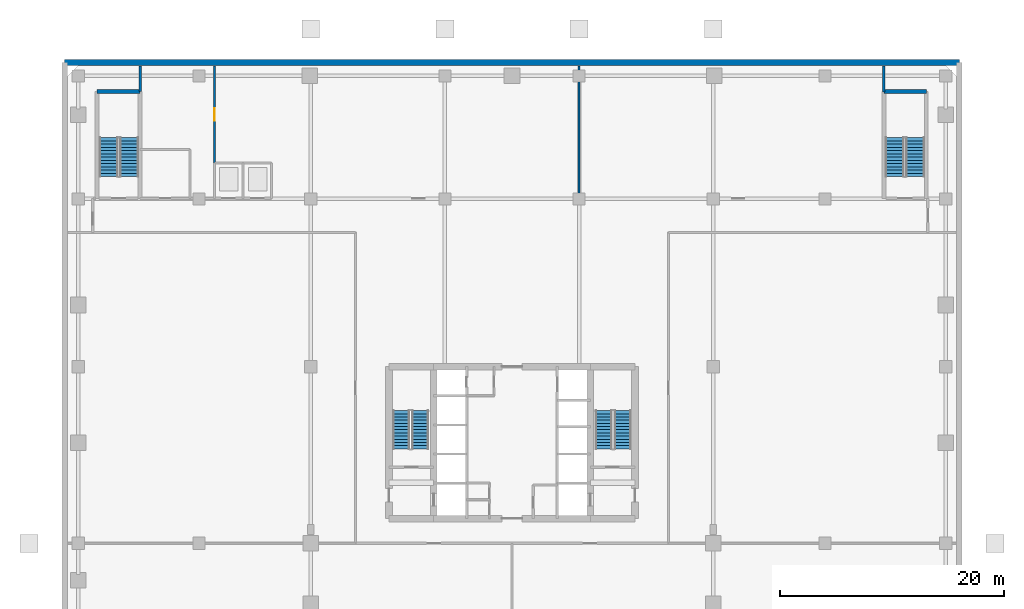
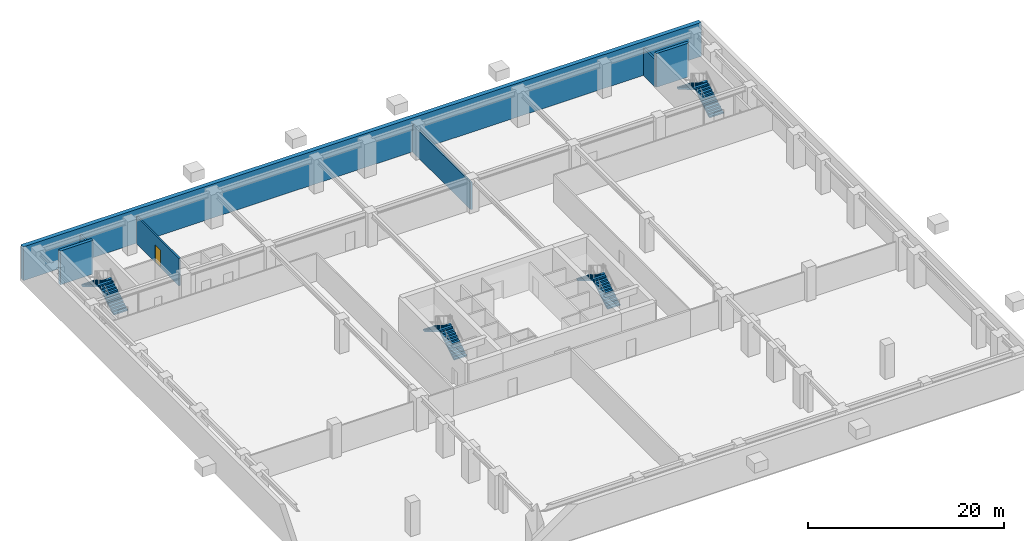
# One storey, part 7 of 11: 8 stair flights, 7 walls, 1 door, 1 opening, 4 elements without a shape of their own.
"""IFC4 building model written with IfcOpenShell, lengths in metres."""

from ifc_helpers import new_model, si_unit, direction, frame, frame_2d, origin, place, context, subcontext, project, spatial, polyline, rectangle, outline, extrude, material, layer, layer_set, type_object, element, fill, aggregate, save


model = new_model("IFC4")

# Units and contexts
model_context = context("Model", 3, precision=1e-05, world=origin(), true_north=direction((0.0, 1.0)))
body_context = subcontext(model_context, "Body", "Model", "MODEL_VIEW")
ifc_project = project(units=[si_unit("LENGTHUNIT", "METRE"), si_unit("AREAUNIT", "SQUARE_METRE"), si_unit("VOLUMEUNIT", "CUBIC_METRE"), si_unit("PLANEANGLEUNIT", "RADIAN"), si_unit("MASSUNIT", "GRAM", prefix="KILO")], contexts=[model_context])

# Site, building, storey
site_placement = place(None, origin())
site = spatial("IfcSite", under=ifc_project, at=site_placement, CompositionType="ELEMENT")
building_placement = place(site_placement, origin())
building = spatial("IfcBuilding", under=site, at=building_placement, Name="Sarneth Arch Tower", CompositionType="ELEMENT")
storey_placement = place(building_placement, frame((0.0, 0.0, -4.5)))
storey = spatial("IfcBuildingStorey", under=building, at=storey_placement, Name="B01", CompositionType="ELEMENT", Elevation=-4.5)

# Walls
ifc_material_1 = material(Name="Concrete C50/60", Category="concrete")
ifc_layer_1 = layer(ifc_material_1, 0.35009765625)
ifc_layer_set_1 = layer_set([ifc_layer_1], Name="Concrete C50/60")
wall_type_1 = type_object("IfcWallType", Name="WALL-CORE-350", PredefinedType="SHEAR", material=ifc_layer_set_1)
wall_1_placement = place(storey_placement, frame((10.89990234375, 73.39990234375, 0.0), z_axis=(0.0, 0.0, 1.0), x_axis=(1.0, 0.0, 0.0)))
element("IfcWall", 1, at=wall_1_placement, inside=storey, type_object=wall_type_1, Name="B01 Podium stair core wall STP1-N", PredefinedType="SHEAR", context=body_context, shape_type="SweptSolid", body=[
    extrude(rectangle(XDim=3.85009765625, YDim=0.35009765625, at=frame_2d((1.925048828125, 0.0))), origin(), (0.0, 0.0, 1.0), 4.219970703125),
])
wall_2_placement = place(storey_placement, frame((81.25, 73.39990234375, 0.0), z_axis=(0.0, 0.0, 1.0), x_axis=(1.0, 0.0, 0.0)))
element("IfcWall", 2, at=wall_2_placement, inside=storey, type_object=wall_type_1, Name="B01 Podium stair core wall STP2-N", PredefinedType="SHEAR", context=body_context, shape_type="SweptSolid", body=[
    extrude(rectangle(XDim=3.800048828125, YDim=0.35009765625, at=frame_2d((1.89990234375, 0.0))), origin(), (0.0, 0.0, 1.0), 4.219970703125),
])
ifc_material_2 = material(Name="Aerated concrete blockwork C25/30", Category="masonry")
ifc_layer_2 = layer(ifc_material_2, 0.219970703125)
ifc_layer_set_2 = layer_set([ifc_layer_2], Name="Aerated concrete blockwork C25/30")
wall_type_2 = type_object("IfcWallType", Name="WALL-FIRE-220", PredefinedType="SOLIDWALL", material=ifc_layer_set_2)
wall_3_placement = place(storey_placement, frame((81.25, 75.699951171875, 0.0), z_axis=(0.0, 0.0, 1.0), x_axis=(0.0, -1.0, 0.0)))
element("IfcWall", 3, at=wall_3_placement, inside=storey, type_object=wall_type_2, Name="B01 Interior partition W-B01-TP-024", PredefinedType="SOLIDWALL", context=body_context, shape_type="SweptSolid", body=[
    extrude(rectangle(XDim=2.33203125, YDim=0.219970703125, at=frame_2d((1.166015625, 0.0))), origin(), (0.0, 0.0, 1.0), 3.419921875),
])
wall_4_placement = place(storey_placement, frame((14.75, 75.699951171875, 0.0), z_axis=(0.0, 0.0, 1.0), x_axis=(0.0, -1.0, 0.0)))
element("IfcWall", 4, at=wall_4_placement, inside=storey, type_object=wall_type_2, Name="B01 Interior partition W-B01-TP-022", PredefinedType="SOLIDWALL", context=body_context, shape_type="SweptSolid", body=[
    extrude(rectangle(XDim=2.300048828125, YDim=0.219970703125, at=frame_2d((1.14990234375, 0.0))), origin(), (0.0, 0.0, 1.0), 3.419921875),
])
ifc_material_3 = material(Name="Concrete C50/60", Category="concrete")
ifc_layer_3 = layer(ifc_material_3, 0.5)
ifc_layer_set_3 = layer_set([ifc_layer_3], Name="Concrete C50/60")
wall_type_3 = type_object("IfcWallType", Name="WALL-RET-500", PredefinedType="SOLIDWALL", material=ifc_layer_set_3)
wall_5_placement = place(storey_placement, frame((88.0, 76.0, 0.0), z_axis=(0.0, 0.0, 1.0), x_axis=(-1.0, 0.0, 0.0)))
element("IfcWall", 5, at=wall_5_placement, inside=storey, type_object=wall_type_3, Name="B01 Basement retaining wall N", PredefinedType="SOLIDWALL", context=body_context, shape_type="SweptSolid", body=[
    extrude(rectangle(XDim=80.0, YDim=0.5, at=frame_2d((40.0, 0.0))), origin(), (0.0, 0.0, 1.0), 4.219970703125),
])
ifc_material_4 = material(Name="Double steel-stud acoustic drywall", Category="steel")
ifc_layer_4 = layer(ifc_material_4, 0.199951171875)
ifc_layer_set_4 = layer_set([ifc_layer_4], Name="Double steel-stud acoustic drywall")
wall_type_4 = type_object("IfcWallType", Name="WALL-UNIT-200", PredefinedType="PARTITIONING", material=ifc_layer_set_4)
wall_6_placement = place(storey_placement, frame((54.0, 75.699951171875, 0.0), z_axis=(0.0, 0.0, 1.0), x_axis=(0.0, -1.0, 0.0)))
element("IfcWall", 6, at=wall_6_placement, inside=storey, type_object=wall_type_4, Name="B01 Interior partition W-B01-TP-023", PredefinedType="PARTITIONING", context=body_context, shape_type="SweptSolid", body=[
    extrude(rectangle(XDim=11.849853515625, YDim=0.199951171875, at=frame_2d((5.9248046875, 0.0))), origin(), (0.0, 0.0, 1.0), 3.419921875),
])

# Wall, opening, door
wall_7_placement = place(storey_placement, frame((21.39990234375, 67.0, 0.0), z_axis=(0.0, 0.0, 1.0), x_axis=(0.0, 1.0, 0.0)))
wall_7 = element("IfcWall", 7, at=wall_7_placement, inside=storey, type_object=wall_type_4, Name="B01 Interior partition W-B01-TP-021", PredefinedType="PARTITIONING", context=body_context, shape_type="SweptSolid", body=[
    extrude(rectangle(XDim=8.699951171875, YDim=0.199951171875, at=frame_2d((4.35009765625, 0.0))), origin(), (0.0, 0.0, 1.0), 3.419921875),
])
opening_placement = place(wall_7_placement, frame((3.800048828125, 0.0, 0.0)))
opening = element("IfcOpeningElement", 8, at=opening_placement, cuts=wall_7, Name="Opening FD-07", PredefinedType="OPENING", context=body_context, shape_type="SweptSolid", body=[
    extrude(rectangle(XDim=1.10009765625, YDim=2.199951171875, at=frame_2d((0.550048828125, 1.10009765625))), frame((0.0, 0.10986328125, 0.0), z_axis=(0.0, -1.0, 0.0), x_axis=(1.0, 0.0, 0.0)), (0.0, 0.0, 1.0), 0.219970703125),
])
ifc_material_5 = material(Name="Hardwood timber acoustic fire door", Category="wood")
door_type = type_object("IfcDoorType", Name="DR-FD60-1100", OperationType="SINGLE_SWING_RIGHT", PredefinedType="DOOR", material=ifc_material_5)
door_placement = place(opening_placement, origin())
door = element("IfcDoor", 9, at=door_placement, inside=storey, type_object=door_type, Name="B01 Interior door DR-B01-JAN", OperationType="SINGLE_SWING_LEFT", OverallHeight=2.199951171875, OverallWidth=1.10009765625, PredefinedType="DOOR", context=body_context, shape_type="SweptSolid", body=[
    extrude(rectangle(XDim=1.10009765625, YDim=2.199951171875, at=frame_2d((0.550048828125, 1.10009765625))), frame((0.0, 0.02490234375, 0.0), z_axis=(0.0, -1.0, 0.0), x_axis=(1.0, 0.0, 0.0)), (0.0, 0.0, 1.0), 0.050048828125),
])
fill(opening, door)

# Stair, stair flights
ifc_material_6 = material(Name="Concrete C50/60", Category="concrete")
stair_type_1 = type_object("IfcStairType", Name="STAIR-CORE-RC", PredefinedType="HALF_TURN_STAIR", material=ifc_material_6)
stair_1_placement = place(storey_placement, origin())
stair_1 = element("IfcStair", 10, at=stair_1_placement, inside=storey, type_object=stair_type_1, Name="B01 Core Exit Stair 1", PredefinedType="HALF_TURN_STAIR")
ifc_material_7 = material(Name="Concrete C50/60", Category="concrete")
stair_flight_type_1 = type_object("IfcStairFlightType", Name="FLIGHT-RC-1500", PredefinedType="STRAIGHT", material=ifc_material_7)
stair_flight_1_placement = place(storey_placement, frame((39.800048828125, 41.449951171875, 0.0), z_axis=(0.0, 0.0, 1.0), x_axis=(0.0, 1.0, 0.0)))
stair_flight_1 = element("IfcStairFlight", 11, at=stair_flight_1_placement, type_object=stair_flight_type_1, Name="ST-1 flight 1", NumberOfRisers=13, NumberOfTreads=12, PredefinedType="STRAIGHT", RiserHeight=0.173076923, TreadLength=0.285, context=body_context, shape_type="SweptSolid", body=[
    extrude(outline(polyline([(0.0, 0.0), (0.0, 0.173095703125), (0.284912109375, 0.173095703125), (0.284912109375, 0.34619140625), (0.570068359375, 0.34619140625), (0.570068359375, 0.519287109375), (0.85498046875, 0.519287109375), (0.85498046875, 0.6923828125), (1.139892578125, 0.6923828125), (1.139892578125, 0.865478515625), (1.425048828125, 0.865478515625), (1.425048828125, 1.03857421875), (1.7099609375, 1.03857421875), (1.7099609375, 1.21142578125), (1.9951171875, 1.21142578125), (1.9951171875, 1.384521484375), (2.280029296875, 1.384521484375), (2.280029296875, 1.5576171875), (2.56494140625, 1.5576171875), (2.56494140625, 1.730712890625), (2.85009765625, 1.730712890625), (2.85009765625, 1.90380859375), (3.135009765625, 1.90380859375), (3.135009765625, 2.076904296875), (3.419921875, 2.076904296875), (3.419921875, 2.25), (3.419921875, 1.901611328125), (0.288818359375, 0.0), (0.0, 0.0)])), frame((0.0, 0.75, 0.0), z_axis=(0.0, -1.0, 0.0), x_axis=(1.0, 0.0, 0.0)), (0.0, 0.0, 1.0), 1.5),
])
stair_flight_2_placement = place(storey_placement, frame((38.10009765625, 44.8701171875, 2.25), z_axis=(0.0, 0.0, 1.0), x_axis=(0.0, -1.0, 0.0)))
stair_flight_2 = element("IfcStairFlight", 12, at=stair_flight_2_placement, type_object=stair_flight_type_1, Name="ST-1 flight 2", NumberOfRisers=13, NumberOfTreads=12, PredefinedType="STRAIGHT", RiserHeight=0.173076923, TreadLength=0.285, context=body_context, shape_type="SweptSolid", body=[
    extrude(outline(polyline([(0.0, 0.0), (0.0, 0.173095703125), (0.284912109375, 0.173095703125), (0.284912109375, 0.34619140625), (0.570068359375, 0.34619140625), (0.570068359375, 0.519287109375), (0.85498046875, 0.519287109375), (0.85498046875, 0.6923828125), (1.139892578125, 0.6923828125), (1.139892578125, 0.865478515625), (1.425048828125, 0.865478515625), (1.425048828125, 1.03857421875), (1.7099609375, 1.03857421875), (1.7099609375, 1.21142578125), (1.9951171875, 1.21142578125), (1.9951171875, 1.384521484375), (2.280029296875, 1.384521484375), (2.280029296875, 1.5576171875), (2.56494140625, 1.5576171875), (2.56494140625, 1.730712890625), (2.85009765625, 1.730712890625), (2.85009765625, 1.90380859375), (3.135009765625, 1.90380859375), (3.135009765625, 2.076904296875), (3.419921875, 2.076904296875), (3.419921875, 2.25), (3.419921875, 1.901611328125), (0.288818359375, 0.0), (0.0, 0.0)])), frame((0.0, 0.75, 0.0), z_axis=(0.0, -1.0, 0.0), x_axis=(1.0, 0.0, 0.0)), (0.0, 0.0, 1.0), 1.5),
])
aggregate(stair_1, [stair_flight_1, stair_flight_2])

stair_2_placement = place(storey_placement, origin())
stair_2 = element("IfcStair", 13, at=stair_2_placement, inside=storey, type_object=stair_type_1, Name="B01 Core Exit Stair 2", PredefinedType="HALF_TURN_STAIR")
stair_flight_3_placement = place(storey_placement, frame((57.89990234375, 41.449951171875, 0.0), z_axis=(0.0, 0.0, 1.0), x_axis=(0.0, 1.0, 0.0)))
stair_flight_3 = element("IfcStairFlight", 14, at=stair_flight_3_placement, type_object=stair_flight_type_1, Name="ST-2 flight 1", NumberOfRisers=13, NumberOfTreads=12, PredefinedType="STRAIGHT", RiserHeight=0.173076923, TreadLength=0.285, context=body_context, shape_type="SweptSolid", body=[
    extrude(outline(polyline([(0.0, 0.0), (0.0, 0.173095703125), (0.284912109375, 0.173095703125), (0.284912109375, 0.34619140625), (0.570068359375, 0.34619140625), (0.570068359375, 0.519287109375), (0.85498046875, 0.519287109375), (0.85498046875, 0.6923828125), (1.139892578125, 0.6923828125), (1.139892578125, 0.865478515625), (1.425048828125, 0.865478515625), (1.425048828125, 1.03857421875), (1.7099609375, 1.03857421875), (1.7099609375, 1.21142578125), (1.9951171875, 1.21142578125), (1.9951171875, 1.384521484375), (2.280029296875, 1.384521484375), (2.280029296875, 1.5576171875), (2.56494140625, 1.5576171875), (2.56494140625, 1.730712890625), (2.85009765625, 1.730712890625), (2.85009765625, 1.90380859375), (3.135009765625, 1.90380859375), (3.135009765625, 2.076904296875), (3.419921875, 2.076904296875), (3.419921875, 2.25), (3.419921875, 1.901611328125), (0.288818359375, 0.0), (0.0, 0.0)])), frame((0.0, 0.75, 0.0), z_axis=(0.0, -1.0, 0.0), x_axis=(1.0, 0.0, 0.0)), (0.0, 0.0, 1.0), 1.5),
])
stair_flight_4_placement = place(storey_placement, frame((56.199951171875, 44.8701171875, 2.25), z_axis=(0.0, 0.0, 1.0), x_axis=(0.0, -1.0, 0.0)))
stair_flight_4 = element("IfcStairFlight", 15, at=stair_flight_4_placement, type_object=stair_flight_type_1, Name="ST-2 flight 2", NumberOfRisers=13, NumberOfTreads=12, PredefinedType="STRAIGHT", RiserHeight=0.173076923, TreadLength=0.285, context=body_context, shape_type="SweptSolid", body=[
    extrude(outline(polyline([(0.0, 0.0), (0.0, 0.173095703125), (0.284912109375, 0.173095703125), (0.284912109375, 0.34619140625), (0.570068359375, 0.34619140625), (0.570068359375, 0.519287109375), (0.85498046875, 0.519287109375), (0.85498046875, 0.6923828125), (1.139892578125, 0.6923828125), (1.139892578125, 0.865478515625), (1.425048828125, 0.865478515625), (1.425048828125, 1.03857421875), (1.7099609375, 1.03857421875), (1.7099609375, 1.21142578125), (1.9951171875, 1.21142578125), (1.9951171875, 1.384521484375), (2.280029296875, 1.384521484375), (2.280029296875, 1.5576171875), (2.56494140625, 1.5576171875), (2.56494140625, 1.730712890625), (2.85009765625, 1.730712890625), (2.85009765625, 1.90380859375), (3.135009765625, 1.90380859375), (3.135009765625, 2.076904296875), (3.419921875, 2.076904296875), (3.419921875, 2.25), (3.419921875, 1.901611328125), (0.288818359375, 0.0), (0.0, 0.0)])), frame((0.0, 0.75, 0.0), z_axis=(0.0, -1.0, 0.0), x_axis=(1.0, 0.0, 0.0)), (0.0, 0.0, 1.0), 1.5),
])
aggregate(stair_2, [stair_flight_3, stair_flight_4])

ifc_material_8 = material(Name="Concrete C50/60", Category="concrete")
stair_type_2 = type_object("IfcStairType", Name="STAIR-PODIUM-RC", PredefinedType="HALF_TURN_STAIR", material=ifc_material_8)
stair_3_placement = place(storey_placement, origin())
stair_3 = element("IfcStair", 16, at=stair_3_placement, inside=storey, type_object=stair_type_2, Name="B01 Podium Exit Stair P1", PredefinedType="HALF_TURN_STAIR")
ifc_material_9 = material(Name="Concrete C50/60", Category="concrete")
stair_flight_type_2 = type_object("IfcStairFlightType", Name="FLIGHT-RC-1650", PredefinedType="STRAIGHT", material=ifc_material_9)
stair_flight_5_placement = place(storey_placement, frame((13.77490234375, 65.800048828125, 0.0), z_axis=(0.0, 0.0, 1.0), x_axis=(0.0, 1.0, 0.0)))
stair_flight_5 = element("IfcStairFlight", 17, at=stair_flight_5_placement, type_object=stair_flight_type_2, Name="ST-P1 flight 1", NumberOfRisers=13, NumberOfTreads=12, PredefinedType="STRAIGHT", RiserHeight=0.173076923, TreadLength=0.29, context=body_context, shape_type="SweptSolid", body=[
    extrude(outline(polyline([(0.0, 0.0), (0.0, 0.173095703125), (0.2900390625, 0.173095703125), (0.2900390625, 0.34619140625), (0.580078125, 0.34619140625), (0.580078125, 0.519287109375), (0.8701171875, 0.519287109375), (0.8701171875, 0.6923828125), (1.159912109375, 0.6923828125), (1.159912109375, 0.865478515625), (1.449951171875, 0.865478515625), (1.449951171875, 1.03857421875), (1.739990234375, 1.03857421875), (1.739990234375, 1.21142578125), (2.030029296875, 1.21142578125), (2.030029296875, 1.384521484375), (2.320068359375, 1.384521484375), (2.320068359375, 1.5576171875), (2.610107421875, 1.5576171875), (2.610107421875, 1.730712890625), (2.89990234375, 1.730712890625), (2.89990234375, 1.90380859375), (3.18994140625, 1.90380859375), (3.18994140625, 2.076904296875), (3.47998046875, 2.076904296875), (3.47998046875, 2.25), (3.47998046875, 1.90234375), (0.29248046875, 0.0), (0.0, 0.0)])), frame((0.0, 0.824951171875, 0.0), z_axis=(0.0, -1.0, 0.0), x_axis=(1.0, 0.0, 0.0)), (0.0, 0.0, 1.0), 1.64990234375),
])
stair_flight_6_placement = place(storey_placement, frame((11.925048828125, 69.280029296875, 2.25), z_axis=(0.0, 0.0, 1.0), x_axis=(0.0, -1.0, 0.0)))
stair_flight_6 = element("IfcStairFlight", 18, at=stair_flight_6_placement, type_object=stair_flight_type_2, Name="ST-P1 flight 2", NumberOfRisers=13, NumberOfTreads=12, PredefinedType="STRAIGHT", RiserHeight=0.173076923, TreadLength=0.29, context=body_context, shape_type="SweptSolid", body=[
    extrude(outline(polyline([(0.0, 0.0), (0.0, 0.173095703125), (0.2900390625, 0.173095703125), (0.2900390625, 0.34619140625), (0.580078125, 0.34619140625), (0.580078125, 0.519287109375), (0.8701171875, 0.519287109375), (0.8701171875, 0.6923828125), (1.159912109375, 0.6923828125), (1.159912109375, 0.865478515625), (1.449951171875, 0.865478515625), (1.449951171875, 1.03857421875), (1.739990234375, 1.03857421875), (1.739990234375, 1.21142578125), (2.030029296875, 1.21142578125), (2.030029296875, 1.384521484375), (2.320068359375, 1.384521484375), (2.320068359375, 1.5576171875), (2.610107421875, 1.5576171875), (2.610107421875, 1.730712890625), (2.89990234375, 1.730712890625), (2.89990234375, 1.90380859375), (3.18994140625, 1.90380859375), (3.18994140625, 2.076904296875), (3.47998046875, 2.076904296875), (3.47998046875, 2.25), (3.47998046875, 1.90234375), (0.29248046875, 0.0), (0.0, 0.0)])), frame((0.0, 0.824951171875, 0.0), z_axis=(0.0, -1.0, 0.0), x_axis=(1.0, 0.0, 0.0)), (0.0, 0.0, 1.0), 1.64990234375),
])
aggregate(stair_3, [stair_flight_5, stair_flight_6])

stair_4_placement = place(storey_placement, origin())
stair_4 = element("IfcStair", 19, at=stair_4_placement, inside=storey, type_object=stair_type_2, Name="B01 Podium Exit Stair P2", PredefinedType="HALF_TURN_STAIR")
stair_flight_7_placement = place(storey_placement, frame((84.074951171875, 65.800048828125, 0.0), z_axis=(0.0, 0.0, 1.0), x_axis=(0.0, 1.0, 0.0)))
stair_flight_7 = element("IfcStairFlight", 20, at=stair_flight_7_placement, type_object=stair_flight_type_2, Name="ST-P2 flight 1", NumberOfRisers=13, NumberOfTreads=12, PredefinedType="STRAIGHT", RiserHeight=0.173076923, TreadLength=0.29, context=body_context, shape_type="SweptSolid", body=[
    extrude(outline(polyline([(0.0, 0.0), (0.0, 0.173095703125), (0.2900390625, 0.173095703125), (0.2900390625, 0.34619140625), (0.580078125, 0.34619140625), (0.580078125, 0.519287109375), (0.8701171875, 0.519287109375), (0.8701171875, 0.6923828125), (1.159912109375, 0.6923828125), (1.159912109375, 0.865478515625), (1.449951171875, 0.865478515625), (1.449951171875, 1.03857421875), (1.739990234375, 1.03857421875), (1.739990234375, 1.21142578125), (2.030029296875, 1.21142578125), (2.030029296875, 1.384521484375), (2.320068359375, 1.384521484375), (2.320068359375, 1.5576171875), (2.610107421875, 1.5576171875), (2.610107421875, 1.730712890625), (2.89990234375, 1.730712890625), (2.89990234375, 1.90380859375), (3.18994140625, 1.90380859375), (3.18994140625, 2.076904296875), (3.47998046875, 2.076904296875), (3.47998046875, 2.25), (3.47998046875, 1.90234375), (0.29248046875, 0.0), (0.0, 0.0)])), frame((0.0, 0.824951171875, 0.0), z_axis=(0.0, -1.0, 0.0), x_axis=(1.0, 0.0, 0.0)), (0.0, 0.0, 1.0), 1.64990234375),
])
stair_flight_8_placement = place(storey_placement, frame((82.22509765625, 69.280029296875, 2.25), z_axis=(0.0, 0.0, 1.0), x_axis=(0.0, -1.0, 0.0)))
stair_flight_8 = element("IfcStairFlight", 21, at=stair_flight_8_placement, type_object=stair_flight_type_2, Name="ST-P2 flight 2", NumberOfRisers=13, NumberOfTreads=12, PredefinedType="STRAIGHT", RiserHeight=0.173076923, TreadLength=0.29, context=body_context, shape_type="SweptSolid", body=[
    extrude(outline(polyline([(0.0, 0.0), (0.0, 0.173095703125), (0.2900390625, 0.173095703125), (0.2900390625, 0.34619140625), (0.580078125, 0.34619140625), (0.580078125, 0.519287109375), (0.8701171875, 0.519287109375), (0.8701171875, 0.6923828125), (1.159912109375, 0.6923828125), (1.159912109375, 0.865478515625), (1.449951171875, 0.865478515625), (1.449951171875, 1.03857421875), (1.739990234375, 1.03857421875), (1.739990234375, 1.21142578125), (2.030029296875, 1.21142578125), (2.030029296875, 1.384521484375), (2.320068359375, 1.384521484375), (2.320068359375, 1.5576171875), (2.610107421875, 1.5576171875), (2.610107421875, 1.730712890625), (2.89990234375, 1.730712890625), (2.89990234375, 1.90380859375), (3.18994140625, 1.90380859375), (3.18994140625, 2.076904296875), (3.47998046875, 2.076904296875), (3.47998046875, 2.25), (3.47998046875, 1.90234375), (0.29248046875, 0.0), (0.0, 0.0)])), frame((0.0, 0.824951171875, 0.0), z_axis=(0.0, -1.0, 0.0), x_axis=(1.0, 0.0, 0.0)), (0.0, 0.0, 1.0), 1.64990234375),
])
aggregate(stair_4, [stair_flight_7, stair_flight_8])

save(model, "model.ifc")
